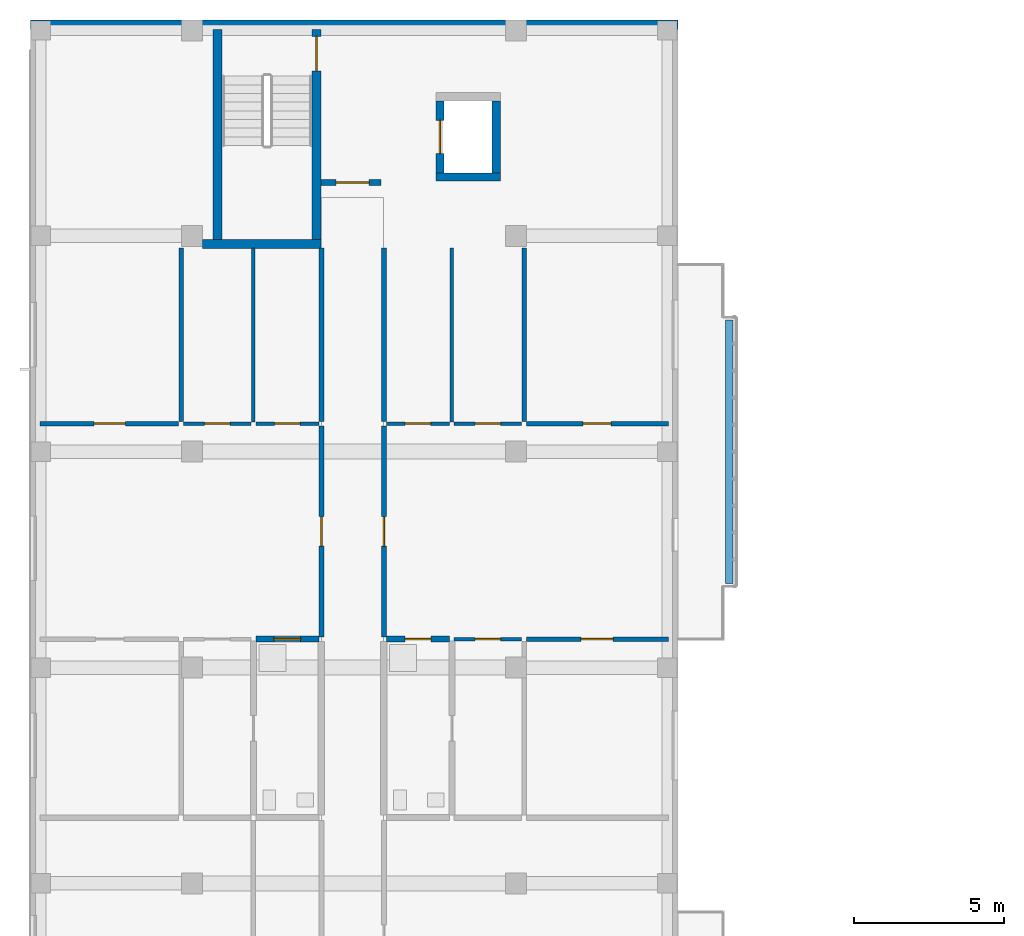
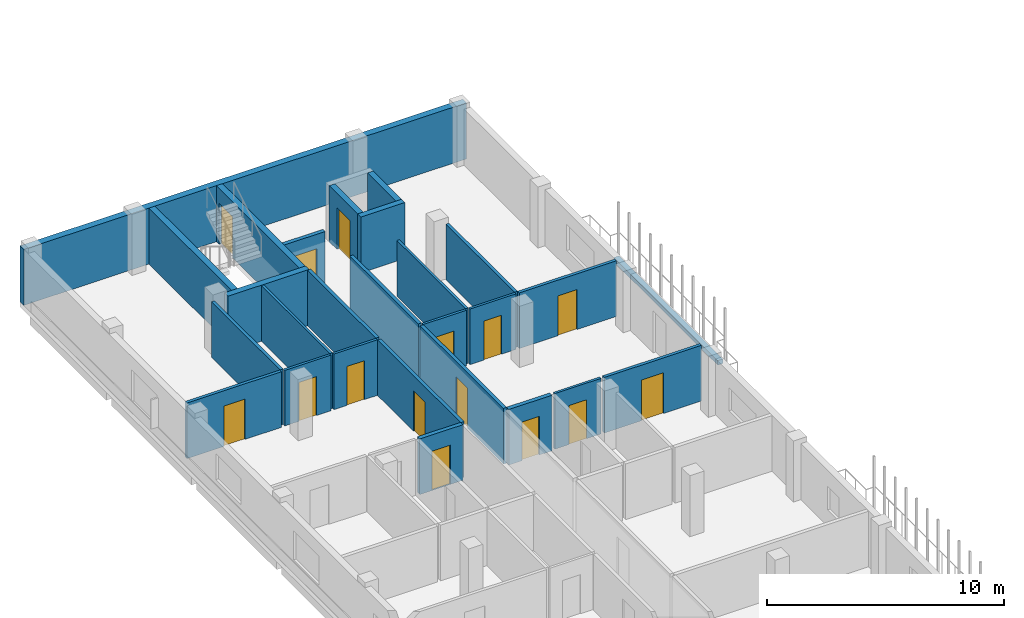
# One storey, part 29 of 51: 27 walls, 15 doors, 15 openings.
"""IFC4 building model written with IfcOpenShell, lengths in metres."""

from ifc_helpers import new_model, si_unit, derived_unit, direction, frame, frame_2d, origin, place, context, subcontext, project, spatial, rectangle, extrude, material, layer, layer_set, type_object, element, fill, save


model = new_model("IFC4")

# Units and contexts
model_context = context("Model", 3, precision=1e-05, world=origin(), true_north=direction((0.0, 1.0)))
body_context = subcontext(model_context, "Body", "Model", "MODEL_VIEW")
ifc_project = project(units=[si_unit("LENGTHUNIT", "METRE"), si_unit("AREAUNIT", "SQUARE_METRE"), si_unit("VOLUMEUNIT", "CUBIC_METRE"), si_unit("PLANEANGLEUNIT", "RADIAN"), si_unit("MASSUNIT", "GRAM", prefix="KILO"), derived_unit("THERMALTRANSMITTANCEUNIT", [(si_unit("MASSUNIT", "GRAM", prefix="KILO"), 1), (si_unit("TIMEUNIT", "SECOND"), -3), (si_unit("THERMODYNAMICTEMPERATUREUNIT", "KELVIN"), -1)])], contexts=[model_context])

# Site, building, storey
site_placement = place(None, origin())
site = spatial("IfcSite", under=ifc_project, at=site_placement, CompositionType="ELEMENT")
building_placement = place(site_placement, origin())
building = spatial("IfcBuilding", under=site, at=building_placement, Name="Ochrekiln Boulevard Commons", CompositionType="ELEMENT")
storey_placement = place(building_placement, frame((0.0, 0.0, 18.375)))
storey = spatial("IfcBuildingStorey", under=building, at=storey_placement, Name="L05", CompositionType="ELEMENT", Elevation=18.375)

# Wall
ifc_material_1 = material(Name="Desert ochre clinker brick masonry ASTM C216 Grade SW", Category="masonry")
ifc_layer_1 = layer(ifc_material_1, 0.320068359375)
ifc_layer_set_1 = layer_set([ifc_layer_1], Name="Desert ochre clinker brick masonry ASTM C216 Grade SW")
wall_type_1 = type_object("IfcWallType", Name="WL-EXT-OCHRE-320", PredefinedType="SOLIDWALL", material=ifc_layer_set_1)
wall_1_placement = place(storey_placement, frame((0.0, 118.639892578125, 0.0), z_axis=(0.0, 0.0, 1.0), x_axis=(1.0, 0.0, 0.0)))
element("IfcWall", 1, at=wall_1_placement, inside=storey, type_object=wall_type_1, Name="Block A L05 N Exterior Wall", PredefinedType="SOLIDWALL", context=body_context, shape_type="SweptSolid", body=[
    extrude(rectangle(XDim=21.60009765625, YDim=0.320068359375, at=frame_2d((10.800048828125, 0.0))), origin(), (0.0, 0.0, 1.0), 2.889892578125),
])

# Wall, opening, door
ifc_material_2 = material(Name="Moisture-resistant cementitious tile backer wall")
ifc_layer_2 = layer(ifc_material_2, 0.199951171875)
ifc_layer_set_2 = layer_set([ifc_layer_2], Name="Moisture-resistant cementitious tile backer wall")
wall_type_2 = type_object("IfcWallType", Name="WL-PLM-200", PredefinedType="PLUMBINGWALL", material=ifc_layer_set_2)
wall_2_placement = place(storey_placement, frame((7.52001953125, 98.14697265625, 0.0), z_axis=(0.0, 0.0, 1.0), x_axis=(1.0, 0.0, 0.0)))
wall_2 = element("IfcWall", 2, at=wall_2_placement, inside=storey, type_object=wall_type_2, Name="L05 Interior Wall W-PW200", PredefinedType="PLUMBINGWALL", context=body_context, shape_type="SweptSolid", body=[
    extrude(rectangle(XDim=2.10791015625, YDim=0.199951171875, at=frame_2d((1.053955078125, 0.0))), origin(), (0.0, 0.0, 1.0), 2.8701171875),
])
opening_1_placement = place(wall_2_placement, frame((0.60498046875, 0.0, 0.0)))
opening_1 = element("IfcOpeningElement", 3, at=opening_1_placement, cuts=wall_2, Name="Opening D-L05-689", PredefinedType="OPENING", context=body_context, shape_type="SweptSolid", body=[
    extrude(rectangle(XDim=0.889892578125, YDim=2.030029296875, at=frame_2d((0.44482421875, 1.01513671875))), frame((0.0, 0.10986328125, 0.0), z_axis=(0.0, -1.0, 0.0), x_axis=(1.0, 0.0, 0.0)), (0.0, 0.0, 1.0), 0.219970703125),
])
ifc_material_3 = material(Name="Solid core architectural oak door leaf")
door_type_1 = type_object("IfcDoorType", Name="DR-INT-BTH-089", OperationType="NOTDEFINED", PredefinedType="DOOR", material=ifc_material_3)
door_1_placement = place(opening_1_placement, frame((0.889892578125, 0.0, 0.0), z_axis=(0.0, 0.0, 1.0), x_axis=(-1.0, 0.0, 0.0)))
door_1 = element("IfcDoor", 4, at=door_1_placement, inside=storey, type_object=door_type_1, Name="L05 Interior Door to Apartment Bathroom", OperationType="SINGLE_SWING_LEFT", OverallHeight=2.030029296875, OverallWidth=0.889892578125, PredefinedType="DOOR", context=body_context, shape_type="SweptSolid", body=[
    extrude(rectangle(XDim=0.889892578125, YDim=2.030029296875, at=frame_2d((0.44482421875, 1.01513671875))), frame((0.0, 0.02490234375, 0.0), z_axis=(0.0, -1.0, 0.0), x_axis=(1.0, 0.0, 0.0)), (0.0, 0.0, 1.0), 0.050048828125),
])
fill(opening_1, door_1)

wall_3_placement = place(storey_placement, frame((11.8720703125, 98.14697265625, 0.0), z_axis=(0.0, 0.0, 1.0), x_axis=(1.0, 0.0, 0.0)))
wall_3 = element("IfcWall", 5, at=wall_3_placement, inside=storey, type_object=wall_type_2, Name="L05 Interior Wall W-PW200", PredefinedType="PLUMBINGWALL", context=body_context, shape_type="SweptSolid", body=[
    extrude(rectangle(XDim=2.10791015625, YDim=0.199951171875, at=frame_2d((1.053955078125, 0.0))), origin(), (0.0, 0.0, 1.0), 2.8701171875),
])
opening_2_placement = place(wall_3_placement, frame((0.6279296875, 0.0, 0.0)))
opening_2 = element("IfcOpeningElement", 6, at=opening_2_placement, cuts=wall_3, Name="Opening D-L05-696", PredefinedType="OPENING", context=body_context, shape_type="SweptSolid", body=[
    extrude(rectangle(XDim=0.860107421875, YDim=2.0, at=frame_2d((0.43017578125, 1.0))), frame((0.0, 0.10986328125, 0.0), z_axis=(0.0, -1.0, 0.0), x_axis=(1.0, 0.0, 0.0)), (0.0, 0.0, 1.0), 0.219970703125),
])
door_type_2 = type_object("IfcDoorType", Name="DR-INT-BTH-086", OperationType="NOTDEFINED", PredefinedType="DOOR", material=ifc_material_3)
door_2_placement = place(opening_2_placement, frame((0.860107421875, 0.0, 0.0), z_axis=(0.0, 0.0, 1.0), x_axis=(-1.0, 0.0, 0.0)))
door_2 = element("IfcDoor", 7, at=door_2_placement, inside=storey, type_object=door_type_2, Name="L05 Interior Door to Apartment Bathroom", OperationType="SINGLE_SWING_RIGHT", OverallHeight=2.0, OverallWidth=0.860107421875, PredefinedType="DOOR", context=body_context, shape_type="SweptSolid", body=[
    extrude(rectangle(XDim=0.860107421875, YDim=2.0, at=frame_2d((0.43017578125, 1.0))), frame((0.0, 0.02490234375, 0.0), z_axis=(0.0, -1.0, 0.0), x_axis=(1.0, 0.0, 0.0)), (0.0, 0.0, 1.0), 0.050048828125),
])
fill(opening_2, door_2)

# Wall
ifc_material_4 = material(Name="Glazed architectural terracotta ASTM C1405", Category="masonry")
ifc_layer_3 = layer(ifc_material_4, 0.25)
ifc_layer_set_3 = layer_set([ifc_layer_3], Name="Glazed architectural terracotta ASTM C1405")
wall_type_3 = type_object("IfcWallType", Name="WL-PLN-250", PredefinedType="PARAPET", material=ifc_layer_set_3)
wall_4_placement = place(storey_placement, frame((23.320068359375, 100.010009765625, 0.0), z_axis=(0.0, 0.0, 1.0), x_axis=(0.0, 1.0, 0.0)))
element("IfcWall", 8, at=wall_4_placement, inside=storey, type_object=wall_type_3, Name="Block A L05 Balcony Terracotta Planter Box 2", PredefinedType="PARAPET", context=body_context, shape_type="SweptSolid", body=[
    extrude(rectangle(XDim=8.780029296875, YDim=0.25, at=frame_2d((4.39013671875, 0.0))), origin(), (0.0, 0.0, 1.0), 0.22998046875),
])

# Wall, opening, door
ifc_material_5 = material(Name="Fire-rated Type X gypsum board on steel studs", Category="steel")
ifc_layer_4 = layer(ifc_material_5, 0.1650390625)
ifc_layer_set_4 = layer_set([ifc_layer_4], Name="Fire-rated Type X gypsum board on steel studs")
wall_type_4 = type_object("IfcWallType", Name="WL-PT-CORR-165", PredefinedType="PARTITIONING", material=ifc_layer_set_4)
wall_5_placement = place(storey_placement, frame((9.7099609375, 98.22705078125, 0.0), z_axis=(0.0, 0.0, 1.0), x_axis=(0.0, 1.0, 0.0)))
wall_5 = element("IfcWall", 9, at=wall_5_placement, inside=storey, type_object=wall_type_4, Name="L05 Interior Wall W-PC165", PredefinedType="PARTITIONING", context=body_context, shape_type="SweptSolid", body=[
    extrude(rectangle(XDim=7.02783203125, YDim=0.1650390625, at=frame_2d((3.513916015625, 0.0))), origin(), (0.0, 0.0, 1.0), 2.8701171875),
])
opening_3_placement = place(wall_5_placement, frame((3.02392578125, 0.0, 0.0)))
opening_3 = element("IfcOpeningElement", 10, at=opening_3_placement, cuts=wall_5, Name="Opening D-L05-681", PredefinedType="OPENING", context=body_context, shape_type="SweptSolid", body=[
    extrude(rectangle(XDim=0.97998046875, YDim=2.080078125, at=frame_2d((0.489990234375, 1.0400390625))), frame((0.0, 0.092529296875, 0.0), z_axis=(0.0, -1.0, 0.0), x_axis=(1.0, 0.0, 0.0)), (0.0, 0.0, 1.0), 0.18505859375),
])
door_type_3 = type_object("IfcDoorType", Name="DR-APT-60", OperationType="NOTDEFINED", PredefinedType="DOOR", material=ifc_material_3)
door_3_placement = place(opening_3_placement, origin())
door_3 = element("IfcDoor", 11, at=door_3_placement, inside=storey, type_object=door_type_3, Name="L05 Interior Door to Two-Bedroom Apartment Living Room", OperationType="SINGLE_SWING_LEFT", OverallHeight=2.080078125, OverallWidth=0.97998046875, PredefinedType="DOOR", context=body_context, shape_type="SweptSolid", body=[
    extrude(rectangle(XDim=0.97998046875, YDim=2.080078125, at=frame_2d((0.489990234375, 1.0400390625))), frame((0.0, 0.02490234375, 0.0), z_axis=(0.0, -1.0, 0.0), x_axis=(1.0, 0.0, 0.0)), (0.0, 0.0, 1.0), 0.050048828125),
])
fill(opening_3, door_3)

# Wall
wall_6_placement = place(storey_placement, frame((9.7099609375, 105.4150390625, 0.0), z_axis=(0.0, 0.0, 1.0), x_axis=(0.0, 1.0, 0.0)))
element("IfcWall", 12, at=wall_6_placement, inside=storey, type_object=wall_type_4, Name="L05 Interior Wall W-PC165", PredefinedType="PARTITIONING", context=body_context, shape_type="SweptSolid", body=[
    extrude(rectangle(XDim=5.784912109375, YDim=0.1650390625, at=frame_2d((2.892578125, 0.0))), origin(), (0.0, 0.0, 1.0), 2.8701171875),
])

# Wall, opening, door
wall_7_placement = place(storey_placement, frame((11.7900390625, 98.22705078125, 0.0), z_axis=(0.0, 0.0, 1.0), x_axis=(0.0, 1.0, 0.0)))
wall_7 = element("IfcWall", 13, at=wall_7_placement, inside=storey, type_object=wall_type_4, Name="L05 Interior Wall W-PC165", PredefinedType="PARTITIONING", context=body_context, shape_type="SweptSolid", body=[
    extrude(rectangle(XDim=7.02783203125, YDim=0.1650390625, at=frame_2d((3.513916015625, 0.0))), origin(), (0.0, 0.0, 1.0), 2.8701171875),
])
opening_4_placement = place(wall_7_placement, frame((3.02392578125, 0.0, 0.0)))
opening_4 = element("IfcOpeningElement", 14, at=opening_4_placement, cuts=wall_7, Name="Opening D-L05-684", PredefinedType="OPENING", context=body_context, shape_type="SweptSolid", body=[
    extrude(rectangle(XDim=0.97998046875, YDim=2.080078125, at=frame_2d((0.489990234375, 1.0400390625))), frame((0.0, 0.092529296875, 0.0), z_axis=(0.0, -1.0, 0.0), x_axis=(1.0, 0.0, 0.0)), (0.0, 0.0, 1.0), 0.18505859375),
])
door_4_placement = place(opening_4_placement, frame((0.97998046875, 0.0, 0.0), z_axis=(0.0, 0.0, 1.0), x_axis=(-1.0, 0.0, 0.0)))
door_4 = element("IfcDoor", 15, at=door_4_placement, inside=storey, type_object=door_type_3, Name="L05 Interior Door to Two-Bedroom Apartment Living Room", OperationType="SINGLE_SWING_RIGHT", OverallHeight=2.080078125, OverallWidth=0.97998046875, PredefinedType="DOOR", context=body_context, shape_type="SweptSolid", body=[
    extrude(rectangle(XDim=0.97998046875, YDim=2.080078125, at=frame_2d((0.489990234375, 1.0400390625))), frame((0.0, 0.02490234375, 0.0), z_axis=(0.0, -1.0, 0.0), x_axis=(1.0, 0.0, 0.0)), (0.0, 0.0, 1.0), 0.050048828125),
])
fill(opening_4, door_4)

# Wall
wall_8_placement = place(storey_placement, frame((11.7900390625, 105.4150390625, 0.0), z_axis=(0.0, 0.0, 1.0), x_axis=(0.0, 1.0, 0.0)))
element("IfcWall", 16, at=wall_8_placement, inside=storey, type_object=wall_type_4, Name="L05 Interior Wall W-PC165", PredefinedType="PARTITIONING", context=body_context, shape_type="SweptSolid", body=[
    extrude(rectangle(XDim=5.784912109375, YDim=0.1650390625, at=frame_2d((2.892578125, 0.0))), origin(), (0.0, 0.0, 1.0), 2.8701171875),
])

# Wall, opening, door
ifc_layer_5 = layer(ifc_material_5, 0.18994140625)
ifc_layer_set_5 = layer_set([ifc_layer_5], Name="Fire-rated Type X gypsum board on steel studs")
wall_type_5 = type_object("IfcWallType", Name="WL-PT-LBY-190", PredefinedType="PARTITIONING", material=ifc_layer_set_5)
wall_9_placement = place(storey_placement, frame((9.699951171875, 113.3798828125, 0.0), z_axis=(0.0, 0.0, 1.0), x_axis=(1.0, 0.0, 0.0)))
wall_9 = element("IfcWall", 17, at=wall_9_placement, inside=storey, type_object=wall_type_5, Name="L05 Interior Wall W-PL190", PredefinedType="PARTITIONING", context=body_context, shape_type="SweptSolid", body=[
    extrude(rectangle(XDim=2.0, YDim=0.18994140625, at=frame_2d((1.0, 0.0))), origin(), (0.0, 0.0, 1.0), 2.8701171875),
])
opening_5_placement = place(wall_9_placement, frame((0.5, 0.0, 0.0)))
opening_5 = element("IfcOpeningElement", 18, at=opening_5_placement, cuts=wall_9, Name="Opening D-L05-678", PredefinedType="OPENING", context=body_context, shape_type="SweptSolid", body=[
    extrude(rectangle(XDim=1.10009765625, YDim=2.1201171875, at=frame_2d((0.550048828125, 1.06005859375))), frame((0.0, 0.10498046875, 0.0), z_axis=(0.0, -1.0, 0.0), x_axis=(1.0, 0.0, 0.0)), (0.0, 0.0, 1.0), 0.2099609375),
])
ifc_material_6 = material(Name="Hollow metal fire-rated steel door assembly", Category="steel")
door_type_4 = type_object("IfcDoorType", Name="DR-LOBBY-60", OperationType="NOTDEFINED", PredefinedType="DOOR", material=ifc_material_6)
door_5_placement = place(opening_5_placement, origin())
door_5 = element("IfcDoor", 19, at=door_5_placement, inside=storey, type_object=door_type_4, Name="L05 Interior Door to Fire Service Access Elevator Lobby", OperationType="SINGLE_SWING_RIGHT", OverallHeight=2.1201171875, OverallWidth=1.10009765625, PredefinedType="DOOR", context=body_context, shape_type="SweptSolid", body=[
    extrude(rectangle(XDim=1.10009765625, YDim=2.1201171875, at=frame_2d((0.550048828125, 1.06005859375))), frame((0.0, 0.02490234375, 0.0), z_axis=(0.0, -1.0, 0.0), x_axis=(1.0, 0.0, 0.0)), (0.0, 0.0, 1.0), 0.050048828125),
])
fill(opening_5, door_5)

ifc_layer_6 = layer(ifc_material_5, 0.1201171875)
ifc_layer_set_6 = layer_set([ifc_layer_6], Name="Fire-rated Type X gypsum board on steel studs")
wall_type_6 = type_object("IfcWallType", Name="WL-PT-LGT-120", PredefinedType="PARTITIONING", material=ifc_layer_set_6)
wall_10_placement = place(storey_placement, frame((7.52001953125, 105.3349609375, 0.0), z_axis=(0.0, 0.0, 1.0), x_axis=(1.0, 0.0, 0.0)))
wall_10 = element("IfcWall", 20, at=wall_10_placement, inside=storey, type_object=wall_type_6, Name="L05 Interior Wall W-PL120", PredefinedType="PARTITIONING", context=body_context, shape_type="SweptSolid", body=[
    extrude(rectangle(XDim=2.10791015625, YDim=0.1201171875, at=frame_2d((1.053955078125, 0.0))), origin(), (0.0, 0.0, 1.0), 2.8701171875),
])
opening_6_placement = place(wall_10_placement, frame((0.625, 0.0, 0.0)))
opening_6 = element("IfcOpeningElement", 21, at=opening_6_placement, cuts=wall_10, Name="Opening D-L05-690", PredefinedType="OPENING", context=body_context, shape_type="SweptSolid", body=[
    extrude(rectangle(XDim=0.85009765625, YDim=2.010009765625, at=frame_2d((0.425048828125, 1.0048828125))), frame((0.0, 0.070068359375, 0.0), z_axis=(0.0, -1.0, 0.0), x_axis=(1.0, 0.0, 0.0)), (0.0, 0.0, 1.0), 0.14013671875),
])
door_type_5 = type_object("IfcDoorType", Name="DR-INT-KIT-085", OperationType="NOTDEFINED", PredefinedType="DOOR", material=ifc_material_3)
door_6_placement = place(opening_6_placement, origin())
door_6 = element("IfcDoor", 22, at=door_6_placement, inside=storey, type_object=door_type_5, Name="L05 Interior Door to Apartment Kitchen", OperationType="SINGLE_SWING_RIGHT", OverallHeight=2.010009765625, OverallWidth=0.85009765625, PredefinedType="DOOR", context=body_context, shape_type="SweptSolid", body=[
    extrude(rectangle(XDim=0.85009765625, YDim=2.010009765625, at=frame_2d((0.425048828125, 1.0048828125))), frame((0.0, 0.02490234375, 0.0), z_axis=(0.0, -1.0, 0.0), x_axis=(1.0, 0.0, 0.0)), (0.0, 0.0, 1.0), 0.050048828125),
])
fill(opening_6, door_6)

wall_11_placement = place(storey_placement, frame((5.110107421875, 105.3349609375, 0.0), z_axis=(0.0, 0.0, 1.0), x_axis=(1.0, 0.0, 0.0)))
wall_11 = element("IfcWall", 23, at=wall_11_placement, inside=storey, type_object=wall_type_6, Name="L05 Interior Wall W-PL120", PredefinedType="PARTITIONING", context=body_context, shape_type="SweptSolid", body=[
    extrude(rectangle(XDim=2.25, YDim=0.1201171875, at=frame_2d((1.125, 0.0))), origin(), (0.0, 0.0, 1.0), 2.8701171875),
])
opening_7_placement = place(wall_11_placement, frame((0.699951171875, 0.0, 0.0)))
opening_7 = element("IfcOpeningElement", 24, at=opening_7_placement, cuts=wall_11, Name="Opening D-L05-694", PredefinedType="OPENING", context=body_context, shape_type="SweptSolid", body=[
    extrude(rectangle(XDim=0.85009765625, YDim=2.010009765625, at=frame_2d((0.425048828125, 1.0048828125))), frame((0.0, 0.070068359375, 0.0), z_axis=(0.0, -1.0, 0.0), x_axis=(1.0, 0.0, 0.0)), (0.0, 0.0, 1.0), 0.14013671875),
])
door_7_placement = place(opening_7_placement, origin())
door_7 = element("IfcDoor", 25, at=door_7_placement, inside=storey, type_object=door_type_5, Name="L05 Interior Door to Apartment Walk-In Wardrobe", OperationType="SINGLE_SWING_RIGHT", OverallHeight=2.010009765625, OverallWidth=0.85009765625, PredefinedType="DOOR", context=body_context, shape_type="SweptSolid", body=[
    extrude(rectangle(XDim=0.85009765625, YDim=2.010009765625, at=frame_2d((0.425048828125, 1.0048828125))), frame((0.0, 0.02490234375, 0.0), z_axis=(0.0, -1.0, 0.0), x_axis=(1.0, 0.0, 0.0)), (0.0, 0.0, 1.0), 0.050048828125),
])
fill(opening_7, door_7)

# Wall
wall_12_placement = place(storey_placement, frame((7.43994140625, 105.39501953125, 0.0), z_axis=(0.0, 0.0, 1.0), x_axis=(0.0, 1.0, 0.0)))
element("IfcWall", 26, at=wall_12_placement, inside=storey, type_object=wall_type_6, Name="L05 Interior Wall W-PL120", PredefinedType="PARTITIONING", context=body_context, shape_type="SweptSolid", body=[
    extrude(rectangle(XDim=5.804931640625, YDim=0.1201171875, at=frame_2d((2.90234375, 0.0))), origin(), (0.0, 0.0, 1.0), 2.8701171875),
])

# Wall, opening, door
wall_13_placement = place(storey_placement, frame((11.8720703125, 105.3349609375, 0.0), z_axis=(0.0, 0.0, 1.0), x_axis=(1.0, 0.0, 0.0)))
wall_13 = element("IfcWall", 27, at=wall_13_placement, inside=storey, type_object=wall_type_6, Name="L05 Interior Wall W-PL120", PredefinedType="PARTITIONING", context=body_context, shape_type="SweptSolid", body=[
    extrude(rectangle(XDim=2.10791015625, YDim=0.1201171875, at=frame_2d((1.053955078125, 0.0))), origin(), (0.0, 0.0, 1.0), 2.8701171875),
])
opening_8_placement = place(wall_13_placement, frame((0.633056640625, 0.0, 0.0)))
opening_8 = element("IfcOpeningElement", 28, at=opening_8_placement, cuts=wall_13, Name="Opening D-L05-697", PredefinedType="OPENING", context=body_context, shape_type="SweptSolid", body=[
    extrude(rectangle(XDim=0.85009765625, YDim=2.010009765625, at=frame_2d((0.425048828125, 1.0048828125))), frame((0.0, 0.070068359375, 0.0), z_axis=(0.0, -1.0, 0.0), x_axis=(1.0, 0.0, 0.0)), (0.0, 0.0, 1.0), 0.14013671875),
])
door_8_placement = place(opening_8_placement, origin())
door_8 = element("IfcDoor", 29, at=door_8_placement, inside=storey, type_object=door_type_5, Name="L05 Interior Door to Apartment Kitchen", OperationType="SINGLE_SWING_LEFT", OverallHeight=2.010009765625, OverallWidth=0.85009765625, PredefinedType="DOOR", context=body_context, shape_type="SweptSolid", body=[
    extrude(rectangle(XDim=0.85009765625, YDim=2.010009765625, at=frame_2d((0.425048828125, 1.0048828125))), frame((0.0, 0.02490234375, 0.0), z_axis=(0.0, -1.0, 0.0), x_axis=(1.0, 0.0, 0.0)), (0.0, 0.0, 1.0), 0.050048828125),
])
fill(opening_8, door_8)

wall_14_placement = place(storey_placement, frame((14.139892578125, 98.14697265625, 0.0), z_axis=(0.0, 0.0, 1.0), x_axis=(1.0, 0.0, 0.0)))
wall_14 = element("IfcWall", 30, at=wall_14_placement, inside=storey, type_object=wall_type_6, Name="L05 Interior Wall W-PL120", PredefinedType="PARTITIONING", context=body_context, shape_type="SweptSolid", body=[
    extrude(rectangle(XDim=2.25, YDim=0.1201171875, at=frame_2d((1.125, 0.0))), origin(), (0.0, 0.0, 1.0), 2.8701171875),
])
opening_9_placement = place(wall_14_placement, frame((0.699951171875, 0.0, 0.0)))
opening_9 = element("IfcOpeningElement", 31, at=opening_9_placement, cuts=wall_14, Name="Opening D-L05-699", PredefinedType="OPENING", context=body_context, shape_type="SweptSolid", body=[
    extrude(rectangle(XDim=0.85009765625, YDim=2.010009765625, at=frame_2d((0.425048828125, 1.0048828125))), frame((0.0, 0.070068359375, 0.0), z_axis=(0.0, -1.0, 0.0), x_axis=(1.0, 0.0, 0.0)), (0.0, 0.0, 1.0), 0.14013671875),
])
door_9_placement = place(opening_9_placement, frame((0.85009765625, 0.0, 0.0), z_axis=(0.0, 0.0, 1.0), x_axis=(-1.0, 0.0, 0.0)))
door_9 = element("IfcDoor", 32, at=door_9_placement, inside=storey, type_object=door_type_5, Name="L05 Interior Door to Apartment Walk-In Wardrobe", OperationType="SINGLE_SWING_LEFT", OverallHeight=2.010009765625, OverallWidth=0.85009765625, PredefinedType="DOOR", context=body_context, shape_type="SweptSolid", body=[
    extrude(rectangle(XDim=0.85009765625, YDim=2.010009765625, at=frame_2d((0.425048828125, 1.0048828125))), frame((0.0, 0.02490234375, 0.0), z_axis=(0.0, -1.0, 0.0), x_axis=(1.0, 0.0, 0.0)), (0.0, 0.0, 1.0), 0.050048828125),
])
fill(opening_9, door_9)

wall_15_placement = place(storey_placement, frame((14.139892578125, 105.3349609375, 0.0), z_axis=(0.0, 0.0, 1.0), x_axis=(1.0, 0.0, 0.0)))
wall_15 = element("IfcWall", 33, at=wall_15_placement, inside=storey, type_object=wall_type_6, Name="L05 Interior Wall W-PL120", PredefinedType="PARTITIONING", context=body_context, shape_type="SweptSolid", body=[
    extrude(rectangle(XDim=2.25, YDim=0.1201171875, at=frame_2d((1.125, 0.0))), origin(), (0.0, 0.0, 1.0), 2.8701171875),
])
opening_10_placement = place(wall_15_placement, frame((0.699951171875, 0.0, 0.0)))
opening_10 = element("IfcOpeningElement", 34, at=opening_10_placement, cuts=wall_15, Name="Opening D-L05-701", PredefinedType="OPENING", context=body_context, shape_type="SweptSolid", body=[
    extrude(rectangle(XDim=0.85009765625, YDim=2.010009765625, at=frame_2d((0.425048828125, 1.0048828125))), frame((0.0, 0.070068359375, 0.0), z_axis=(0.0, -1.0, 0.0), x_axis=(1.0, 0.0, 0.0)), (0.0, 0.0, 1.0), 0.14013671875),
])
door_10_placement = place(opening_10_placement, origin())
door_10 = element("IfcDoor", 35, at=door_10_placement, inside=storey, type_object=door_type_5, Name="L05 Interior Door to Apartment Walk-In Wardrobe", OperationType="SINGLE_SWING_LEFT", OverallHeight=2.010009765625, OverallWidth=0.85009765625, PredefinedType="DOOR", context=body_context, shape_type="SweptSolid", body=[
    extrude(rectangle(XDim=0.85009765625, YDim=2.010009765625, at=frame_2d((0.425048828125, 1.0048828125))), frame((0.0, 0.02490234375, 0.0), z_axis=(0.0, -1.0, 0.0), x_axis=(1.0, 0.0, 0.0)), (0.0, 0.0, 1.0), 0.050048828125),
])
fill(opening_10, door_10)

# Wall
wall_16_placement = place(storey_placement, frame((14.06005859375, 105.39501953125, 0.0), z_axis=(0.0, 0.0, 1.0), x_axis=(0.0, 1.0, 0.0)))
element("IfcWall", 36, at=wall_16_placement, inside=storey, type_object=wall_type_6, Name="L05 Interior Wall W-PL120", PredefinedType="PARTITIONING", context=body_context, shape_type="SweptSolid", body=[
    extrude(rectangle(XDim=5.804931640625, YDim=0.1201171875, at=frame_2d((2.90234375, 0.0))), origin(), (0.0, 0.0, 1.0), 2.8701171875),
])

# Wall, opening, door
ifc_layer_7 = layer(ifc_material_5, 0.14990234375)
ifc_layer_set_7 = layer_set([ifc_layer_7], Name="Fire-rated Type X gypsum board on steel studs")
wall_type_7 = type_object("IfcWallType", Name="WL-PT-STD-150", PredefinedType="PARTITIONING", material=ifc_layer_set_7)
wall_17_placement = place(storey_placement, frame((0.320068359375, 105.3349609375, 0.0), z_axis=(0.0, 0.0, 1.0), x_axis=(1.0, 0.0, 0.0)))
wall_17 = element("IfcWall", 37, at=wall_17_placement, inside=storey, type_object=wall_type_7, Name="L05 Interior Wall W-PS150", PredefinedType="PARTITIONING", context=body_context, shape_type="SweptSolid", body=[
    extrude(rectangle(XDim=4.6298828125, YDim=0.14990234375, at=frame_2d((2.31494140625, 0.0))), origin(), (0.0, 0.0, 1.0), 2.8701171875),
])
opening_11_placement = place(wall_17_placement, frame((1.81005859375, 0.0, 0.0)))
opening_11 = element("IfcOpeningElement", 38, at=opening_11_placement, cuts=wall_17, Name="Opening D-L05-693", PredefinedType="OPENING", context=body_context, shape_type="SweptSolid", body=[
    extrude(rectangle(XDim=1.0400390625, YDim=2.080078125, at=frame_2d((0.52001953125, 1.0400390625))), frame((0.0, 0.0849609375, 0.0), z_axis=(0.0, -1.0, 0.0), x_axis=(1.0, 0.0, 0.0)), (0.0, 0.0, 1.0), 0.169921875),
])
door_type_6 = type_object("IfcDoorType", Name="DR-INT-BED-104", OperationType="NOTDEFINED", PredefinedType="DOOR", material=ifc_material_3)
door_11_placement = place(opening_11_placement, origin())
door_11 = element("IfcDoor", 39, at=door_11_placement, inside=storey, type_object=door_type_6, Name="L05 Interior Door to Secondary Apartment Bedroom", OperationType="SINGLE_SWING_LEFT", OverallHeight=2.080078125, OverallWidth=1.0400390625, PredefinedType="DOOR", context=body_context, shape_type="SweptSolid", body=[
    extrude(rectangle(XDim=1.0400390625, YDim=2.080078125, at=frame_2d((0.52001953125, 1.0400390625))), frame((0.0, 0.02490234375, 0.0), z_axis=(0.0, -1.0, 0.0), x_axis=(1.0, 0.0, 0.0)), (0.0, 0.0, 1.0), 0.050048828125),
])
fill(opening_11, door_11)

# Wall
wall_18_placement = place(storey_placement, frame((5.030029296875, 105.409912109375, 0.0), z_axis=(0.0, 0.0, 1.0), x_axis=(0.0, 1.0, 0.0)))
element("IfcWall", 40, at=wall_18_placement, inside=storey, type_object=wall_type_7, Name="L05 Interior Wall W-PS150", PredefinedType="PARTITIONING", context=body_context, shape_type="SweptSolid", body=[
    extrude(rectangle(XDim=5.7900390625, YDim=0.14990234375, at=frame_2d((2.89501953125, 0.0))), origin(), (0.0, 0.0, 1.0), 2.8701171875),
])

# Wall, opening, door
wall_19_placement = place(storey_placement, frame((16.550048828125, 98.14697265625, 0.0), z_axis=(0.0, 0.0, 1.0), x_axis=(1.0, 0.0, 0.0)))
wall_19 = element("IfcWall", 41, at=wall_19_placement, inside=storey, type_object=wall_type_7, Name="L05 Interior Wall W-PS150", PredefinedType="PARTITIONING", context=body_context, shape_type="SweptSolid", body=[
    extrude(rectangle(XDim=4.72998046875, YDim=0.14990234375, at=frame_2d((2.364990234375, 0.0))), origin(), (0.0, 0.0, 1.0), 2.8701171875),
])
opening_12_placement = place(wall_19_placement, frame((1.81005859375, 0.0, 0.0)))
opening_12 = element("IfcOpeningElement", 42, at=opening_12_placement, cuts=wall_19, Name="Opening D-L05-698", PredefinedType="OPENING", context=body_context, shape_type="SweptSolid", body=[
    extrude(rectangle(XDim=1.080078125, YDim=2.10009765625, at=frame_2d((0.5400390625, 1.050048828125))), frame((0.0, 0.0849609375, 0.0), z_axis=(0.0, -1.0, 0.0), x_axis=(1.0, 0.0, 0.0)), (0.0, 0.0, 1.0), 0.169921875),
])
door_type_7 = type_object("IfcDoorType", Name="DR-INT-BED-108", OperationType="NOTDEFINED", PredefinedType="DOOR", material=ifc_material_3)
door_12_placement = place(opening_12_placement, frame((1.080078125, 0.0, 0.0), z_axis=(0.0, 0.0, 1.0), x_axis=(-1.0, 0.0, 0.0)))
door_12 = element("IfcDoor", 43, at=door_12_placement, inside=storey, type_object=door_type_7, Name="L05 Interior Door to Primary Apartment Bedroom", OperationType="SINGLE_SWING_RIGHT", OverallHeight=2.10009765625, OverallWidth=1.080078125, PredefinedType="DOOR", context=body_context, shape_type="SweptSolid", body=[
    extrude(rectangle(XDim=1.080078125, YDim=2.10009765625, at=frame_2d((0.5400390625, 1.050048828125))), frame((0.0, 0.02490234375, 0.0), z_axis=(0.0, -1.0, 0.0), x_axis=(1.0, 0.0, 0.0)), (0.0, 0.0, 1.0), 0.050048828125),
])
fill(opening_12, door_12)

wall_20_placement = place(storey_placement, frame((16.550048828125, 105.3349609375, 0.0), z_axis=(0.0, 0.0, 1.0), x_axis=(1.0, 0.0, 0.0)))
wall_20 = element("IfcWall", 44, at=wall_20_placement, inside=storey, type_object=wall_type_7, Name="L05 Interior Wall W-PS150", PredefinedType="PARTITIONING", context=body_context, shape_type="SweptSolid", body=[
    extrude(rectangle(XDim=4.72998046875, YDim=0.14990234375, at=frame_2d((2.364990234375, 0.0))), origin(), (0.0, 0.0, 1.0), 2.8701171875),
])
opening_13_placement = place(wall_20_placement, frame((1.8798828125, 0.0, 0.0)))
opening_13 = element("IfcOpeningElement", 45, at=opening_13_placement, cuts=wall_20, Name="Opening D-L05-700", PredefinedType="OPENING", context=body_context, shape_type="SweptSolid", body=[
    extrude(rectangle(XDim=0.93994140625, YDim=2.06005859375, at=frame_2d((0.469970703125, 1.030029296875))), frame((0.0, 0.0849609375, 0.0), z_axis=(0.0, -1.0, 0.0), x_axis=(1.0, 0.0, 0.0)), (0.0, 0.0, 1.0), 0.169921875),
])
door_type_8 = type_object("IfcDoorType", Name="DR-INT-BED-094", OperationType="NOTDEFINED", PredefinedType="DOOR", material=ifc_material_3)
door_13_placement = place(opening_13_placement, origin())
door_13 = element("IfcDoor", 46, at=door_13_placement, inside=storey, type_object=door_type_8, Name="L05 Interior Door to Secondary Apartment Bedroom", OperationType="SINGLE_SWING_RIGHT", OverallHeight=2.06005859375, OverallWidth=0.93994140625, PredefinedType="DOOR", context=body_context, shape_type="SweptSolid", body=[
    extrude(rectangle(XDim=0.93994140625, YDim=2.06005859375, at=frame_2d((0.469970703125, 1.030029296875))), frame((0.0, 0.02490234375, 0.0), z_axis=(0.0, -1.0, 0.0), x_axis=(1.0, 0.0, 0.0)), (0.0, 0.0, 1.0), 0.050048828125),
])
fill(opening_13, door_13)

# Walls
wall_21_placement = place(storey_placement, frame((16.469970703125, 105.409912109375, 0.0), z_axis=(0.0, 0.0, 1.0), x_axis=(0.0, 1.0, 0.0)))
element("IfcWall", 47, at=wall_21_placement, inside=storey, type_object=wall_type_7, Name="L05 Interior Wall W-PS150", PredefinedType="PARTITIONING", context=body_context, shape_type="SweptSolid", body=[
    extrude(rectangle(XDim=5.7900390625, YDim=0.14990234375, at=frame_2d((2.89501953125, 0.0))), origin(), (0.0, 0.0, 1.0), 2.8701171875),
])
ifc_material_7 = material(Name="Concrete C40/50", Category="concrete")
ifc_layer_8 = layer(ifc_material_7, 0.27490234375)
ifc_layer_set_8 = layer_set([ifc_layer_8], Name="Concrete C40/50")
wall_type_8 = type_object("IfcWallType", Name="WL-SH-275", PredefinedType="SHEAR", material=ifc_layer_set_8)
wall_22_placement = place(storey_placement, frame((13.52490234375, 113.5625, 0.0), z_axis=(0.0, 0.0, 1.0), x_axis=(1.0, 0.0, 0.0)))
element("IfcWall", 48, at=wall_22_placement, inside=storey, type_object=wall_type_8, Name="Elevator FF-A2 L05 Hoistway Shear Wall", PredefinedType="SHEAR", context=body_context, shape_type="SweptSolid", body=[
    extrude(rectangle(XDim=2.150146484375, YDim=0.27490234375, at=frame_2d((1.0751953125, 0.0))), origin(), (0.0, 0.0, 1.0), 2.889892578125),
])

# Wall, opening, door
wall_23_placement = place(storey_placement, frame((13.66259765625, 113.699951171875, 0.0), z_axis=(0.0, 0.0, 1.0), x_axis=(0.0, 1.0, 0.0)))
wall_23 = element("IfcWall", 49, at=wall_23_placement, inside=storey, type_object=wall_type_8, Name="Elevator FF-A2 L05 Hoistway Shear Wall", PredefinedType="SHEAR", context=body_context, shape_type="SweptSolid", body=[
    extrude(rectangle(XDim=2.400146484375, YDim=0.27490234375, at=frame_2d((1.2001953125, 0.0))), origin(), (0.0, 0.0, 1.0), 2.889892578125),
])
opening_14_placement = place(wall_23_placement, frame((0.64990234375, 0.0, 0.0)))
opening_14 = element("IfcOpeningElement", 50, at=opening_14_placement, cuts=wall_23, Name="Opening LD-FF-A2-L05", PredefinedType="OPENING", context=body_context, shape_type="SweptSolid", body=[
    extrude(rectangle(XDim=1.10009765625, YDim=2.14990234375, at=frame_2d((0.550048828125, 1.074951171875))), frame((0.0, 0.1474609375, 0.0), z_axis=(0.0, -1.0, 0.0), x_axis=(1.0, 0.0, 0.0)), (0.0, 0.0, 1.0), 0.294921875),
])
ifc_material_8 = material(Name="Brushed stainless steel 316 elevator cab and doors", Category="steel")
door_type_9 = type_object("IfcDoorType", Name="DR-LIFT-LD90", OperationType="SLIDING_TO_LEFT", PredefinedType="DOOR", material=ifc_material_8)
door_14_placement = place(opening_14_placement, origin())
door_14 = element("IfcDoor", 51, at=door_14_placement, inside=storey, type_object=door_type_9, Name="Elevator FF-A2 L05 Sliding Landing Door LD-FF-A2-L05", OperationType="SLIDING_TO_LEFT", OverallHeight=2.14990234375, OverallWidth=1.10009765625, PredefinedType="DOOR", context=body_context, shape_type="SweptSolid", body=[
    extrude(rectangle(XDim=1.10009765625, YDim=2.14990234375, at=frame_2d((0.550048828125, 1.074951171875))), frame((0.0, 0.02490234375, 0.0), z_axis=(0.0, -1.0, 0.0), x_axis=(1.0, 0.0, 0.0)), (0.0, 0.0, 1.0), 0.050048828125),
])
fill(opening_14, door_14)

# Walls
wall_24_placement = place(storey_placement, frame((15.53759765625, 113.699951171875, 0.0), z_axis=(0.0, 0.0, 1.0), x_axis=(0.0, 1.0, 0.0)))
element("IfcWall", 52, at=wall_24_placement, inside=storey, type_object=wall_type_8, Name="Elevator FF-A2 L05 Hoistway Shear Wall", PredefinedType="SHEAR", context=body_context, shape_type="SweptSolid", body=[
    extrude(rectangle(XDim=2.400146484375, YDim=0.27490234375, at=frame_2d((1.2001953125, 0.0))), origin(), (0.0, 0.0, 1.0), 2.889892578125),
])
ifc_layer_9 = layer(ifc_material_7, 0.300048828125)
ifc_layer_set_9 = layer_set([ifc_layer_9], Name="Concrete C40/50")
wall_type_9 = type_object("IfcWallType", Name="WL-SH-300", PredefinedType="SHEAR", material=ifc_layer_set_9)
wall_25_placement = place(storey_placement, frame((5.75, 111.330078125, 0.0), z_axis=(0.0, 0.0, 1.0), x_axis=(1.0, 0.0, 0.0)))
element("IfcWall", 53, at=wall_25_placement, inside=storey, type_object=wall_type_9, Name="Stair ST-A2 L05 Core Shear Wall S", PredefinedType="SHEAR", context=body_context, shape_type="SweptSolid", body=[
    extrude(rectangle(XDim=3.949951171875, YDim=0.300048828125, at=frame_2d((1.97509765625, 0.0))), origin(), (0.0, 0.0, 1.0), 2.889892578125),
])
wall_26_placement = place(storey_placement, frame((6.25, 111.47998046875, 0.0), z_axis=(0.0, 0.0, 1.0), x_axis=(0.0, 1.0, 0.0)))
element("IfcWall", 54, at=wall_26_placement, inside=storey, type_object=wall_type_9, Name="Stair ST-A2 L05 Core Shear Wall W", PredefinedType="SHEAR", context=body_context, shape_type="SweptSolid", body=[
    extrude(rectangle(XDim=7.0, YDim=0.300048828125, at=frame_2d((3.5, 0.0))), origin(), (0.0, 0.0, 1.0), 2.889892578125),
])

# Wall, opening, door
wall_27_placement = place(storey_placement, frame((9.550048828125, 111.47998046875, 0.0), z_axis=(0.0, 0.0, 1.0), x_axis=(0.0, 1.0, 0.0)))
wall_27 = element("IfcWall", 55, at=wall_27_placement, inside=storey, type_object=wall_type_9, Name="Stair ST-A2 L05 Core Shear Wall E", PredefinedType="SHEAR", context=body_context, shape_type="SweptSolid", body=[
    extrude(rectangle(XDim=7.0, YDim=0.300048828125, at=frame_2d((3.5, 0.0))), origin(), (0.0, 0.0, 1.0), 2.889892578125),
])
opening_15_placement = place(wall_27_placement, frame((5.625, 0.0, 0.0)))
opening_15 = element("IfcOpeningElement", 56, at=opening_15_placement, cuts=wall_27, Name="Opening D-L05-ST-A2", PredefinedType="OPENING", context=body_context, shape_type="SweptSolid", body=[
    extrude(rectangle(XDim=1.14990234375, YDim=2.1201171875, at=frame_2d((0.574951171875, 1.06005859375))), frame((0.0, 0.159912109375, 0.0), z_axis=(0.0, -1.0, 0.0), x_axis=(1.0, 0.0, 0.0)), (0.0, 0.0, 1.0), 0.320068359375),
])
door_type_10 = type_object("IfcDoorType", Name="DR-STAIR-90", OperationType="NOTDEFINED", PredefinedType="DOOR", material=ifc_material_6)
door_15_placement = place(opening_15_placement, origin())
door_15 = element("IfcDoor", 57, at=door_15_placement, inside=storey, type_object=door_type_10, Name="Enclosed Exit Stair ST-A2 L05 Rated Door", OperationType="SINGLE_SWING_LEFT", OverallHeight=2.1201171875, OverallWidth=1.14990234375, PredefinedType="DOOR", context=body_context, shape_type="SweptSolid", body=[
    extrude(rectangle(XDim=1.14990234375, YDim=2.1201171875, at=frame_2d((0.574951171875, 1.06005859375))), frame((0.0, 0.02490234375, 0.0), z_axis=(0.0, -1.0, 0.0), x_axis=(1.0, 0.0, 0.0)), (0.0, 0.0, 1.0), 0.050048828125),
])
fill(opening_15, door_15)

save(model, "model.ifc")
